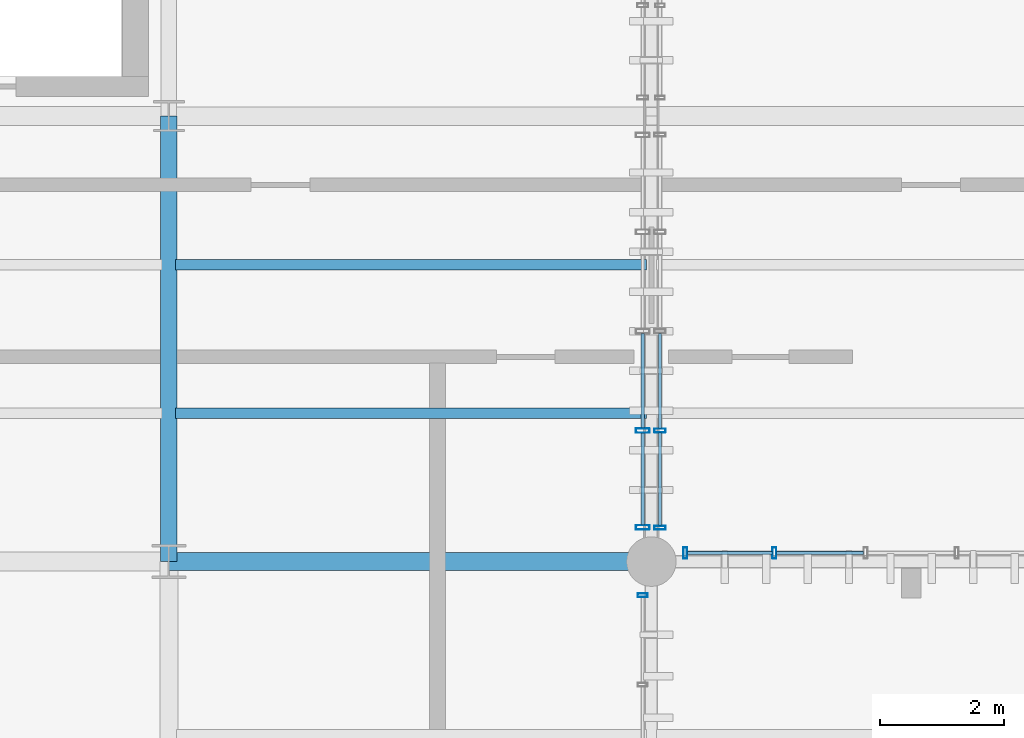
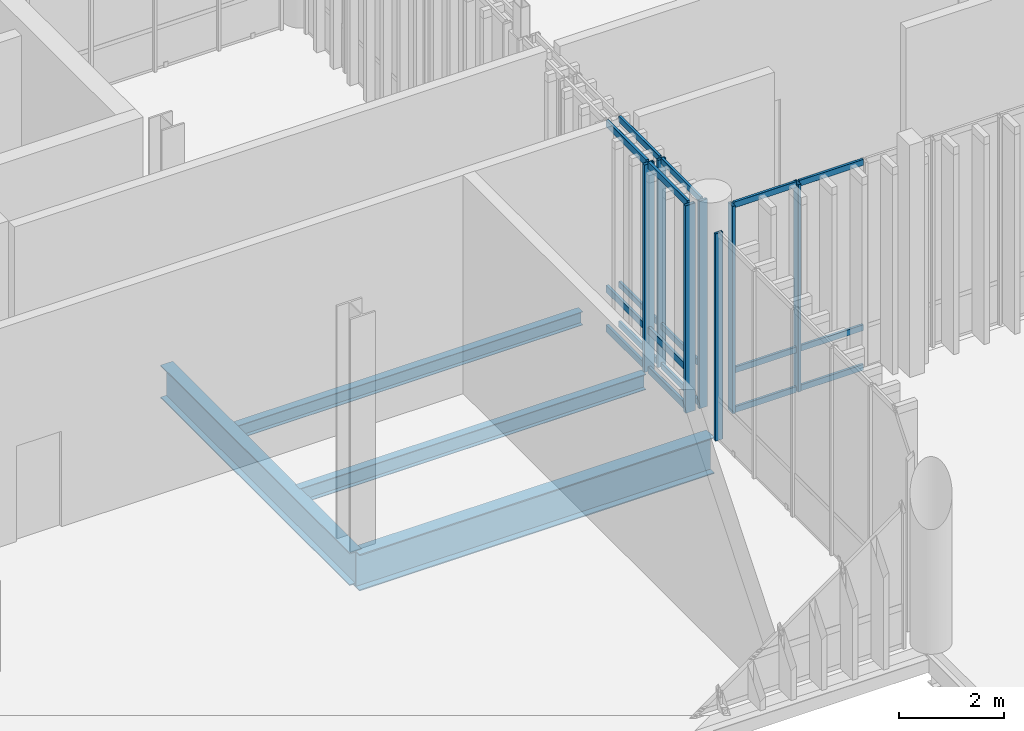
# One storey, part 35 of 128: 25 members, 4 beams, 4 elements without a shape of their own.
"""IFC4 building model written with IfcOpenShell, lengths in metres."""

from ifc_helpers import new_model, si_unit, direction, frame, origin_with_axes, origin_2d_with_axis, place, context, subcontext, project, spatial, hollow_rectangle, i_section, extrude, material, material_profile, profile_set, type_object, element, aggregate, save


model = new_model("IFC4")

# Units and contexts
model_context = context("Model", 3, precision=1e-05, world=origin_with_axes(), true_north=direction((0.0, 1.0)))
body_context = subcontext(model_context, "Body", "Model", "MODEL_VIEW")
ifc_project = project(units=[si_unit("LENGTHUNIT", "METRE"), si_unit("AREAUNIT", "SQUARE_METRE"), si_unit("VOLUMEUNIT", "CUBIC_METRE"), si_unit("PLANEANGLEUNIT", "RADIAN"), si_unit("MASSUNIT", "GRAM", prefix="KILO"), si_unit("THERMODYNAMICTEMPERATUREUNIT", "KELVIN")], contexts=[model_context])

# Site, building, storey
site_placement = place(None, origin_with_axes())
site = spatial("IfcSite", under=ifc_project, at=site_placement, CompositionType="ELEMENT")
building_placement = place(site_placement, origin_with_axes())
building = spatial("IfcBuilding", under=site, at=building_placement, Name="Montbau Bow Law Courts", CompositionType="ELEMENT")
storey_placement = place(building_placement, frame((0.0, 0.0, 5.4), z_axis=(0.0, 0.0, 1.0), x_axis=(1.0, 0.0, 0.0)))
storey = spatial("IfcBuildingStorey", under=building, at=storey_placement, Name="L01", CompositionType="ELEMENT", Elevation=5.4)

# Beams
ifc_material_1 = material(Name="Steel CSA G40.21 Grade 350W (350 MPa)", Category="steel")
ifc_material_profile_1 = material_profile(ifc_material_1, i_section(OverallWidth=0.293, OverallDepth=0.846, WebThickness=0.0154, FlangeThickness=0.0244, at=origin_2d_with_axis()), Name="W840X210", Category="Main", Priority=0)
ifc_profile_set_1 = profile_set([ifc_material_profile_1], Name="Steel CSA G40.21 Grade 350W (350 MPa)")
beam_type_1 = type_object("IfcBeamType", Name="B-FLR-02", PredefinedType="BEAM", material=ifc_profile_set_1)
beam_1_placement = place(None, frame((39.0, 39.0, 4.737), z_axis=(1.0, 0.0, 0.0), x_axis=(0.0, 1.0, 0.0)))
element("IfcBeam", 1, at=beam_1_placement, inside=storey, type_object=beam_type_1, Name="BM-L01-S0523:bm2_0526", PredefinedType="BEAM", context=body_context, shape_type="SweptSolid", body=[
    extrude(i_section(OverallWidth=0.293, OverallDepth=0.846, WebThickness=0.0154, FlangeThickness=0.0244, at=origin_2d_with_axis()), origin_with_axes(), (0.0, 0.0, 1.0), 7.8),
])
ifc_material_profile_2 = material_profile(ifc_material_1, i_section(OverallWidth=0.267, OverallDepth=0.766, WebThickness=0.0149, FlangeThickness=0.0236, at=origin_2d_with_axis()), Name="W760X185", Category="Main", Priority=0)
ifc_profile_set_2 = profile_set([ifc_material_profile_2], Name="Steel CSA G40.21 Grade 350W (350 MPa)")
beam_type_2 = type_object("IfcBeamType", Name="B-FLR-03", PredefinedType="BEAM", material=ifc_profile_set_2)
beam_2_placement = place(None, frame((39.0, 39.0, 4.777), z_axis=(0.0, 1.0, 0.0), x_axis=(-1.0, 0.0, 0.0)))
element("IfcBeam", 2, at=beam_2_placement, inside=storey, type_object=beam_type_2, Name="BM-L01-S0545:bm2_0548", PredefinedType="BEAM", context=body_context, shape_type="SweptSolid", body=[
    extrude(i_section(OverallWidth=0.267, OverallDepth=0.766, WebThickness=0.0149, FlangeThickness=0.0236, at=origin_2d_with_axis()), origin_with_axes(), (0.0, 0.0, 1.0), 7.2),
])
ifc_material_profile_3 = material_profile(ifc_material_1, i_section(OverallWidth=0.172, OverallDepth=0.358, WebThickness=0.0079, FlangeThickness=0.0131, at=origin_2d_with_axis()), Name="W360X57", Category="Main", Priority=0)
ifc_profile_set_3 = profile_set([ifc_material_profile_3], Name="Steel CSA G40.21 Grade 350W (350 MPa)")
beam_type_3 = type_object("IfcBeamType", Name="B-JST-03", PredefinedType="JOIST", material=ifc_profile_set_3)
beam_3_placement = place(None, frame((39.109, 41.4, 4.981), z_axis=(1.0, 0.0, 0.0), x_axis=(0.0, 1.0, 0.0)))
element("IfcBeam", 3, at=beam_3_placement, inside=storey, type_object=beam_type_3, Name="JST-L01-S0262:jst2_0262", PredefinedType="JOIST", context=body_context, shape_type="SweptSolid", body=[
    extrude(i_section(OverallWidth=0.172, OverallDepth=0.358, WebThickness=0.0079, FlangeThickness=0.0131, at=origin_2d_with_axis()), origin_with_axes(), (0.0, 0.0, 1.0), 7.611),
])
ifc_material_profile_4 = material_profile(ifc_material_1, i_section(OverallWidth=0.166, OverallDepth=0.313, WebThickness=0.0066, FlangeThickness=0.0112, at=origin_2d_with_axis()), Name="W310X45", Category="Main", Priority=0)
ifc_profile_set_4 = profile_set([ifc_material_profile_4], Name="Steel CSA G40.21 Grade 350W (350 MPa)")
beam_type_4 = type_object("IfcBeamType", Name="B-JST-04", PredefinedType="JOIST", material=ifc_profile_set_4)
beam_4_placement = place(None, frame((39.109, 43.8, 5.003), z_axis=(1.0, 0.0, 0.0), x_axis=(0.0, 1.0, 0.0)))
element("IfcBeam", 4, at=beam_4_placement, inside=storey, type_object=beam_type_4, Name="JST-L01-S0263:jst2_0263", PredefinedType="JOIST", context=body_context, shape_type="SweptSolid", body=[
    extrude(i_section(OverallWidth=0.166, OverallDepth=0.313, WebThickness=0.0066, FlangeThickness=0.0112, at=origin_2d_with_axis()), origin_with_axes(), (0.0, 0.0, 1.0), 7.611),
])

# Curtain wall, members
ifc_material_2 = material(Name="Thermally Broken Extruded Aluminium AA 6063-T6", Category="aluminium")
curtain_wall_type_1 = type_object("IfcCurtainWallType", Name="CW-TRC-01", PredefinedType="NOTDEFINED", material=ifc_material_2)
curtain_wall_1_placement = place(None, frame((46.66, 39.515, 5.4), z_axis=(0.0, 0.0, 1.0), x_axis=(1.0, 0.0, 0.0)))
curtain_wall_1 = element("IfcCurtainWall", 5, at=curtain_wall_1_placement, inside=storey, type_object=curtain_wall_type_1, Name="CW-L01-030:cw_0030", PredefinedType="NOTDEFINED")
ifc_material_profile_5 = material_profile(ifc_material_2, hollow_rectangle(XDim=0.075, YDim=0.22, WallThickness=0.005, InnerFilletRadius=0.01, OuterFilletRadius=0.005, at=origin_2d_with_axis()), Name="CWM-220X75", Category="Main", Priority=0)
ifc_profile_set_5 = profile_set([ifc_material_profile_5], Name="Thermally Broken Extruded Aluminium AA 6063-T6")
member_type_1 = type_object("IfcMemberType", Name="M-MUL-01", PredefinedType="MULLION", material=ifc_profile_set_5)
member_1_placement = place(None, frame((46.66, 39.552, 5.4), z_axis=(0.0, 0.0, 1.0), x_axis=(0.0, 1.0, 0.0)))
member_1 = element("IfcMember", 6, at=member_1_placement, type_object=member_type_1, Name="CW-L01-030-M01:cw_0030_M01", PredefinedType="MULLION", context=body_context, shape_type="SweptSolid", body=[
    extrude(hollow_rectangle(XDim=0.075, YDim=0.22, WallThickness=0.005, InnerFilletRadius=0.01, OuterFilletRadius=0.005, at=origin_2d_with_axis()), origin_with_axes(), (0.0, 0.0, 1.0), 4.82),
])
member_2_placement = place(None, frame((46.66, 41.119, 5.4), z_axis=(0.0, 0.0, 1.0), x_axis=(0.0, 1.0, 0.0)))
member_2 = element("IfcMember", 7, at=member_2_placement, type_object=member_type_1, Name="CW-L01-030-M02:cw_0030_M02", PredefinedType="MULLION", context=body_context, shape_type="SweptSolid", body=[
    extrude(hollow_rectangle(XDim=0.075, YDim=0.22, WallThickness=0.005, InnerFilletRadius=0.01, OuterFilletRadius=0.005, at=origin_2d_with_axis()), origin_with_axes(), (0.0, 0.0, 1.0), 4.82),
])

curtain_wall_type_2 = type_object("IfcCurtainWallType", Name="CW-CRM-01", PredefinedType="NOTDEFINED", material=ifc_material_2)
curtain_wall_2_placement = place(None, frame((47.315, 39.14, 5.4), z_axis=(0.0, 0.0, 1.0), x_axis=(1.0, 0.0, 0.0)))
curtain_wall_2 = element("IfcCurtainWall", 8, at=curtain_wall_2_placement, inside=storey, type_object=curtain_wall_type_2, Name="CW-L01-139:cw_0139", PredefinedType="NOTDEFINED")
ifc_material_profile_6 = material_profile(ifc_material_2, hollow_rectangle(XDim=0.065, YDim=0.18, WallThickness=0.005, InnerFilletRadius=0.01, OuterFilletRadius=0.005, at=origin_2d_with_axis()), Name="CWM-180X65", Category="Main", Priority=0)
ifc_profile_set_6 = profile_set([ifc_material_profile_6], Name="Thermally Broken Extruded Aluminium AA 6063-T6")
member_type_2 = type_object("IfcMemberType", Name="M-MUL-02", PredefinedType="MULLION", material=ifc_profile_set_6)
member_3_placement = place(None, frame((47.348, 39.14, 5.4), z_axis=(0.0, 0.0, 1.0), x_axis=(1.0, 0.0, 0.0)))
member_3 = element("IfcMember", 9, at=member_3_placement, type_object=member_type_2, Name="CW-L01-139-M01:cw_0139_M01", PredefinedType="MULLION", context=body_context, shape_type="SweptSolid", body=[
    extrude(hollow_rectangle(XDim=0.065, YDim=0.18, WallThickness=0.005, InnerFilletRadius=0.01, OuterFilletRadius=0.005, at=origin_2d_with_axis()), origin_with_axes(), (0.0, 0.0, 1.0), 4.82),
])
member_4_placement = place(None, frame((48.789, 39.14, 5.4), z_axis=(0.0, 0.0, 1.0), x_axis=(1.0, 0.0, 0.0)))
member_4 = element("IfcMember", 10, at=member_4_placement, type_object=member_type_2, Name="CW-L01-139-M02:cw_0139_M02", PredefinedType="MULLION", context=body_context, shape_type="SweptSolid", body=[
    extrude(hollow_rectangle(XDim=0.065, YDim=0.18, WallThickness=0.005, InnerFilletRadius=0.01, OuterFilletRadius=0.005, at=origin_2d_with_axis()), origin_with_axes(), (0.0, 0.0, 1.0), 4.82),
])

curtain_wall_3_placement = place(None, frame((46.94, 39.515, 5.4), z_axis=(0.0, 0.0, 1.0), x_axis=(1.0, 0.0, 0.0)))
curtain_wall_3 = element("IfcCurtainWall", 11, at=curtain_wall_3_placement, inside=storey, type_object=curtain_wall_type_2, Name="CW-L01-151:cw_0151", PredefinedType="NOTDEFINED")
member_5_placement = place(None, frame((46.94, 39.548, 5.4), z_axis=(0.0, 0.0, 1.0), x_axis=(0.0, 1.0, 0.0)))
member_5 = element("IfcMember", 12, at=member_5_placement, type_object=member_type_2, Name="CW-L01-151-M01:cw_0151_M01", PredefinedType="MULLION", context=body_context, shape_type="SweptSolid", body=[
    extrude(hollow_rectangle(XDim=0.065, YDim=0.18, WallThickness=0.005, InnerFilletRadius=0.01, OuterFilletRadius=0.005, at=origin_2d_with_axis()), origin_with_axes(), (0.0, 0.0, 1.0), 4.82),
])
member_6_placement = place(None, frame((46.94, 41.119, 5.4), z_axis=(0.0, 0.0, 1.0), x_axis=(0.0, 1.0, 0.0)))
member_6 = element("IfcMember", 13, at=member_6_placement, type_object=member_type_2, Name="CW-L01-151-M02:cw_0151_M02", PredefinedType="MULLION", context=body_context, shape_type="SweptSolid", body=[
    extrude(hollow_rectangle(XDim=0.065, YDim=0.18, WallThickness=0.005, InnerFilletRadius=0.01, OuterFilletRadius=0.005, at=origin_2d_with_axis()), origin_with_axes(), (0.0, 0.0, 1.0), 4.82),
])

# Curtain wall, member
curtain_wall_4_placement = place(None, frame((46.66, 31.115, 5.4), z_axis=(0.0, 0.0, 1.0), x_axis=(1.0, 0.0, 0.0)))
curtain_wall_4 = element("IfcCurtainWall", 14, at=curtain_wall_4_placement, inside=storey, type_object=curtain_wall_type_1, Name="CW-L01-029:cw_0029", PredefinedType="NOTDEFINED")
ifc_material_profile_7 = material_profile(ifc_material_2, hollow_rectangle(XDim=0.06, YDim=0.16, WallThickness=0.004, InnerFilletRadius=0.008, OuterFilletRadius=0.004, at=origin_2d_with_axis()), Name="CWM-160X60", Category="Main", Priority=0)
ifc_profile_set_7 = profile_set([ifc_material_profile_7], Name="Thermally Broken Extruded Aluminium AA 6063-T6")
member_type_3 = type_object("IfcMemberType", Name="M-MUL-03", PredefinedType="MULLION", material=ifc_profile_set_7)
member_7_placement = place(None, frame((46.66, 38.455, 5.4), z_axis=(0.0, 0.0, 1.0), x_axis=(0.0, 1.0, 0.0)))
member_7 = element("IfcMember", 15, at=member_7_placement, type_object=member_type_3, Name="CW-L01-029-M06:cw_0029_M06", PredefinedType="MULLION", context=body_context, shape_type="SweptSolid", body=[
    extrude(hollow_rectangle(XDim=0.06, YDim=0.16, WallThickness=0.004, InnerFilletRadius=0.008, OuterFilletRadius=0.004, at=origin_2d_with_axis()), origin_with_axes(), (0.0, 0.0, 1.0), 4.82),
])
aggregate(curtain_wall_4, [member_7])

# Member
ifc_material_profile_8 = material_profile(ifc_material_2, hollow_rectangle(XDim=0.06, YDim=0.16, WallThickness=0.004, InnerFilletRadius=0.008, OuterFilletRadius=0.004, at=origin_2d_with_axis()), Name="CWT-160X60", Category="Main", Priority=0)
ifc_profile_set_8 = profile_set([ifc_material_profile_8], Name="Thermally Broken Extruded Aluminium AA 6063-T6")
member_type_4 = type_object("IfcMemberType", Name="M-TRN-01", PredefinedType="USERDEFINED", material=ifc_profile_set_8)
member_8_placement = place(None, frame((46.66, 39.591, 5.43), z_axis=(0.0, 1.0, 0.0), x_axis=(-1.0, 0.0, 0.0)))
member_8 = element("IfcMember", 16, at=member_8_placement, type_object=member_type_4, Name="CW-L01-030-T01-1:cw_0030_T01_1", ObjectType="TRANSOM", PredefinedType="USERDEFINED", context=body_context, shape_type="SweptSolid", body=[
    extrude(hollow_rectangle(XDim=0.06, YDim=0.16, WallThickness=0.004, InnerFilletRadius=0.008, OuterFilletRadius=0.004, at=origin_2d_with_axis()), origin_with_axes(), (0.0, 0.0, 1.0), 1.489),
])

member_9_placement = place(None, frame((46.66, 39.591, 6.35), z_axis=(0.0, 1.0, 0.0), x_axis=(-1.0, 0.0, 0.0)))
member_9 = element("IfcMember", 17, at=member_9_placement, type_object=member_type_4, Name="CW-L01-030-T01-2:cw_0030_T01_2", ObjectType="TRANSOM", PredefinedType="USERDEFINED", context=body_context, shape_type="SweptSolid", body=[
    extrude(hollow_rectangle(XDim=0.06, YDim=0.16, WallThickness=0.004, InnerFilletRadius=0.008, OuterFilletRadius=0.004, at=origin_2d_with_axis()), origin_with_axes(), (0.0, 0.0, 1.0), 1.489),
])

member_10_placement = place(None, frame((46.66, 39.591, 10.19), z_axis=(0.0, 1.0, 0.0), x_axis=(-1.0, 0.0, 0.0)))
member_10 = element("IfcMember", 18, at=member_10_placement, type_object=member_type_4, Name="CW-L01-030-T01-3:cw_0030_T01_3", ObjectType="TRANSOM", PredefinedType="USERDEFINED", context=body_context, shape_type="SweptSolid", body=[
    extrude(hollow_rectangle(XDim=0.06, YDim=0.16, WallThickness=0.004, InnerFilletRadius=0.008, OuterFilletRadius=0.004, at=origin_2d_with_axis()), origin_with_axes(), (0.0, 0.0, 1.0), 1.489),
])

member_11_placement = place(None, frame((46.66, 41.159, 5.43), z_axis=(0.0, 1.0, 0.0), x_axis=(-1.0, 0.0, 0.0)))
member_11 = element("IfcMember", 19, at=member_11_placement, type_object=member_type_4, Name="CW-L01-030-T02-1:cw_0030_T02_1", ObjectType="TRANSOM", PredefinedType="USERDEFINED", context=body_context, shape_type="SweptSolid", body=[
    extrude(hollow_rectangle(XDim=0.06, YDim=0.16, WallThickness=0.004, InnerFilletRadius=0.008, OuterFilletRadius=0.004, at=origin_2d_with_axis()), origin_with_axes(), (0.0, 0.0, 1.0), 1.526),
])

member_12_placement = place(None, frame((46.66, 41.159, 6.35), z_axis=(0.0, 1.0, 0.0), x_axis=(-1.0, 0.0, 0.0)))
member_12 = element("IfcMember", 20, at=member_12_placement, type_object=member_type_4, Name="CW-L01-030-T02-2:cw_0030_T02_2", ObjectType="TRANSOM", PredefinedType="USERDEFINED", context=body_context, shape_type="SweptSolid", body=[
    extrude(hollow_rectangle(XDim=0.06, YDim=0.16, WallThickness=0.004, InnerFilletRadius=0.008, OuterFilletRadius=0.004, at=origin_2d_with_axis()), origin_with_axes(), (0.0, 0.0, 1.0), 1.526),
])

member_13_placement = place(None, frame((46.66, 41.159, 10.19), z_axis=(0.0, 1.0, 0.0), x_axis=(-1.0, 0.0, 0.0)))
member_13 = element("IfcMember", 21, at=member_13_placement, type_object=member_type_4, Name="CW-L01-030-T02-3:cw_0030_T02_3", ObjectType="TRANSOM", PredefinedType="USERDEFINED", context=body_context, shape_type="SweptSolid", body=[
    extrude(hollow_rectangle(XDim=0.06, YDim=0.16, WallThickness=0.004, InnerFilletRadius=0.008, OuterFilletRadius=0.004, at=origin_2d_with_axis()), origin_with_axes(), (0.0, 0.0, 1.0), 1.526),
])

aggregate(curtain_wall_1, [member_1, member_2, member_8, member_9, member_10, member_11, member_12, member_13])

ifc_material_profile_9 = material_profile(ifc_material_2, hollow_rectangle(XDim=0.055, YDim=0.14, WallThickness=0.004, InnerFilletRadius=0.008, OuterFilletRadius=0.004, at=origin_2d_with_axis()), Name="CWT-140X55", Category="Main", Priority=0)
ifc_profile_set_9 = profile_set([ifc_material_profile_9], Name="Thermally Broken Extruded Aluminium AA 6063-T6")
member_type_5 = type_object("IfcMemberType", Name="M-TRN-02", PredefinedType="USERDEFINED", material=ifc_profile_set_9)
member_14_placement = place(None, frame((47.383, 39.14, 5.428), z_axis=(1.0, 0.0, 0.0), x_axis=(0.0, 1.0, 0.0)))
member_14 = element("IfcMember", 22, at=member_14_placement, type_object=member_type_5, Name="CW-L01-139-T01-1:cw_0139_T01_1", ObjectType="TRANSOM", PredefinedType="USERDEFINED", context=body_context, shape_type="SweptSolid", body=[
    extrude(hollow_rectangle(XDim=0.055, YDim=0.14, WallThickness=0.004, InnerFilletRadius=0.008, OuterFilletRadius=0.004, at=origin_2d_with_axis()), origin_with_axes(), (0.0, 0.0, 1.0), 1.372),
])

member_15_placement = place(None, frame((47.383, 39.14, 6.35), z_axis=(1.0, 0.0, 0.0), x_axis=(0.0, 1.0, 0.0)))
member_15 = element("IfcMember", 23, at=member_15_placement, type_object=member_type_5, Name="CW-L01-139-T01-2:cw_0139_T01_2", ObjectType="TRANSOM", PredefinedType="USERDEFINED", context=body_context, shape_type="SweptSolid", body=[
    extrude(hollow_rectangle(XDim=0.055, YDim=0.14, WallThickness=0.004, InnerFilletRadius=0.008, OuterFilletRadius=0.004, at=origin_2d_with_axis()), origin_with_axes(), (0.0, 0.0, 1.0), 1.372),
])

member_16_placement = place(None, frame((47.383, 39.14, 10.193), z_axis=(1.0, 0.0, 0.0), x_axis=(0.0, 1.0, 0.0)))
member_16 = element("IfcMember", 24, at=member_16_placement, type_object=member_type_5, Name="CW-L01-139-T01-3:cw_0139_T01_3", ObjectType="TRANSOM", PredefinedType="USERDEFINED", context=body_context, shape_type="SweptSolid", body=[
    extrude(hollow_rectangle(XDim=0.055, YDim=0.14, WallThickness=0.004, InnerFilletRadius=0.008, OuterFilletRadius=0.004, at=origin_2d_with_axis()), origin_with_axes(), (0.0, 0.0, 1.0), 1.372),
])

member_17_placement = place(None, frame((48.823, 39.14, 5.428), z_axis=(1.0, 0.0, 0.0), x_axis=(0.0, 1.0, 0.0)))
member_17 = element("IfcMember", 25, at=member_17_placement, type_object=member_type_5, Name="CW-L01-139-T02-1:cw_0139_T02_1", ObjectType="TRANSOM", PredefinedType="USERDEFINED", context=body_context, shape_type="SweptSolid", body=[
    extrude(hollow_rectangle(XDim=0.055, YDim=0.14, WallThickness=0.004, InnerFilletRadius=0.008, OuterFilletRadius=0.004, at=origin_2d_with_axis()), origin_with_axes(), (0.0, 0.0, 1.0), 1.405),
])

member_18_placement = place(None, frame((48.823, 39.14, 6.35), z_axis=(1.0, 0.0, 0.0), x_axis=(0.0, 1.0, 0.0)))
member_18 = element("IfcMember", 26, at=member_18_placement, type_object=member_type_5, Name="CW-L01-139-T02-2:cw_0139_T02_2", ObjectType="TRANSOM", PredefinedType="USERDEFINED", context=body_context, shape_type="SweptSolid", body=[
    extrude(hollow_rectangle(XDim=0.055, YDim=0.14, WallThickness=0.004, InnerFilletRadius=0.008, OuterFilletRadius=0.004, at=origin_2d_with_axis()), origin_with_axes(), (0.0, 0.0, 1.0), 1.405),
])

member_19_placement = place(None, frame((48.823, 39.14, 10.193), z_axis=(1.0, 0.0, 0.0), x_axis=(0.0, 1.0, 0.0)))
member_19 = element("IfcMember", 27, at=member_19_placement, type_object=member_type_5, Name="CW-L01-139-T02-3:cw_0139_T02_3", ObjectType="TRANSOM", PredefinedType="USERDEFINED", context=body_context, shape_type="SweptSolid", body=[
    extrude(hollow_rectangle(XDim=0.055, YDim=0.14, WallThickness=0.004, InnerFilletRadius=0.008, OuterFilletRadius=0.004, at=origin_2d_with_axis()), origin_with_axes(), (0.0, 0.0, 1.0), 1.405),
])

aggregate(curtain_wall_2, [member_3, member_4, member_14, member_15, member_16, member_17, member_18, member_19])

member_20_placement = place(None, frame((46.94, 39.583, 5.428), z_axis=(0.0, 1.0, 0.0), x_axis=(-1.0, 0.0, 0.0)))
member_20 = element("IfcMember", 28, at=member_20_placement, type_object=member_type_5, Name="CW-L01-151-T01-1:cw_0151_T01_1", ObjectType="TRANSOM", PredefinedType="USERDEFINED", context=body_context, shape_type="SweptSolid", body=[
    extrude(hollow_rectangle(XDim=0.055, YDim=0.14, WallThickness=0.004, InnerFilletRadius=0.008, OuterFilletRadius=0.004, at=origin_2d_with_axis()), origin_with_axes(), (0.0, 0.0, 1.0), 1.502),
])

member_21_placement = place(None, frame((46.94, 39.583, 6.35), z_axis=(0.0, 1.0, 0.0), x_axis=(-1.0, 0.0, 0.0)))
member_21 = element("IfcMember", 29, at=member_21_placement, type_object=member_type_5, Name="CW-L01-151-T01-2:cw_0151_T01_2", ObjectType="TRANSOM", PredefinedType="USERDEFINED", context=body_context, shape_type="SweptSolid", body=[
    extrude(hollow_rectangle(XDim=0.055, YDim=0.14, WallThickness=0.004, InnerFilletRadius=0.008, OuterFilletRadius=0.004, at=origin_2d_with_axis()), origin_with_axes(), (0.0, 0.0, 1.0), 1.502),
])

member_22_placement = place(None, frame((46.94, 39.583, 10.193), z_axis=(0.0, 1.0, 0.0), x_axis=(-1.0, 0.0, 0.0)))
member_22 = element("IfcMember", 30, at=member_22_placement, type_object=member_type_5, Name="CW-L01-151-T01-3:cw_0151_T01_3", ObjectType="TRANSOM", PredefinedType="USERDEFINED", context=body_context, shape_type="SweptSolid", body=[
    extrude(hollow_rectangle(XDim=0.055, YDim=0.14, WallThickness=0.004, InnerFilletRadius=0.008, OuterFilletRadius=0.004, at=origin_2d_with_axis()), origin_with_axes(), (0.0, 0.0, 1.0), 1.502),
])

member_23_placement = place(None, frame((46.94, 41.154, 5.428), z_axis=(0.0, 1.0, 0.0), x_axis=(-1.0, 0.0, 0.0)))
member_23 = element("IfcMember", 31, at=member_23_placement, type_object=member_type_5, Name="CW-L01-151-T02-1:cw_0151_T02_1", ObjectType="TRANSOM", PredefinedType="USERDEFINED", context=body_context, shape_type="SweptSolid", body=[
    extrude(hollow_rectangle(XDim=0.055, YDim=0.14, WallThickness=0.004, InnerFilletRadius=0.008, OuterFilletRadius=0.004, at=origin_2d_with_axis()), origin_with_axes(), (0.0, 0.0, 1.0), 1.536),
])

member_24_placement = place(None, frame((46.94, 41.154, 6.35), z_axis=(0.0, 1.0, 0.0), x_axis=(-1.0, 0.0, 0.0)))
member_24 = element("IfcMember", 32, at=member_24_placement, type_object=member_type_5, Name="CW-L01-151-T02-2:cw_0151_T02_2", ObjectType="TRANSOM", PredefinedType="USERDEFINED", context=body_context, shape_type="SweptSolid", body=[
    extrude(hollow_rectangle(XDim=0.055, YDim=0.14, WallThickness=0.004, InnerFilletRadius=0.008, OuterFilletRadius=0.004, at=origin_2d_with_axis()), origin_with_axes(), (0.0, 0.0, 1.0), 1.536),
])

member_25_placement = place(None, frame((46.94, 41.154, 10.193), z_axis=(0.0, 1.0, 0.0), x_axis=(-1.0, 0.0, 0.0)))
member_25 = element("IfcMember", 33, at=member_25_placement, type_object=member_type_5, Name="CW-L01-151-T02-3:cw_0151_T02_3", ObjectType="TRANSOM", PredefinedType="USERDEFINED", context=body_context, shape_type="SweptSolid", body=[
    extrude(hollow_rectangle(XDim=0.055, YDim=0.14, WallThickness=0.004, InnerFilletRadius=0.008, OuterFilletRadius=0.004, at=origin_2d_with_axis()), origin_with_axes(), (0.0, 0.0, 1.0), 1.536),
])

aggregate(curtain_wall_3, [member_5, member_6, member_20, member_21, member_22, member_23, member_24, member_25])

save(model, "model.ifc")
